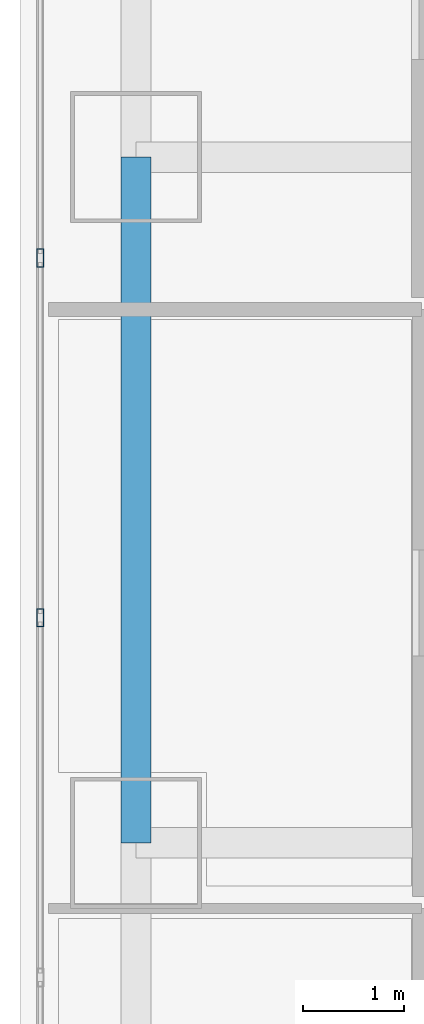
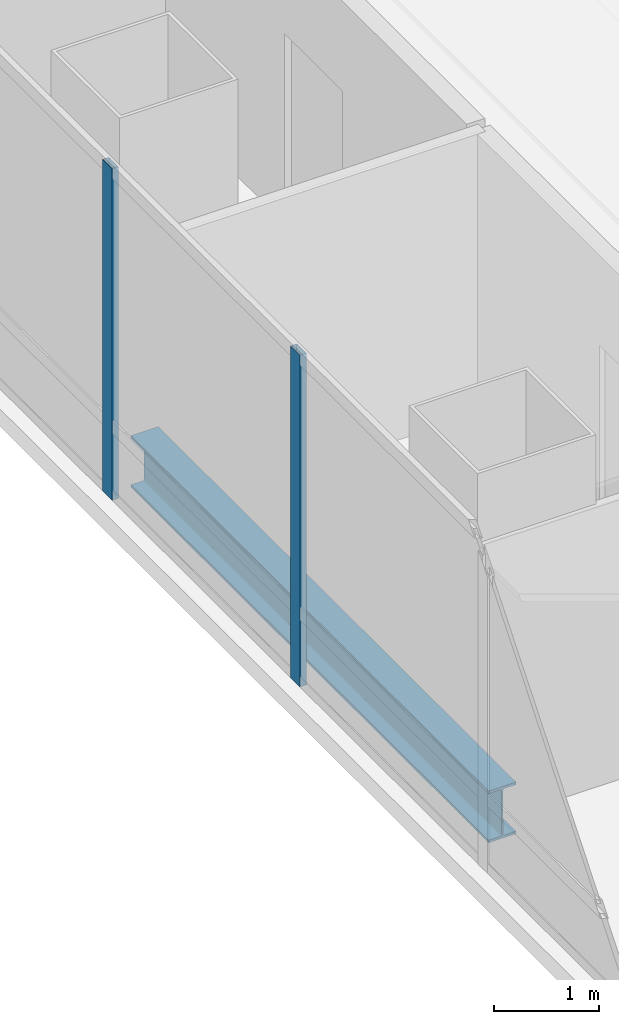
# One storey, part 8 of 44: 2 members, 1 beam, 1 element without a shape of its own.
"""IFC4 building model written with IfcOpenShell, lengths in metres."""

import ifcopenshell
import ifcopenshell.guid

model = None  # the IFC model being written
_history = None  # IfcOwnerHistory: only IFC2X3 demands one
_inside = {}  # id of a spatial element -> (the spatial element, [elements in it])
_under = {}  # id of a project, library or spatial element -> (it, [spatial elements below it])
_declared = {}  # id of a project -> (the project, [libraries it declares])
_typed = {}  # id of a type object -> (the type object, [elements of that type])
_made_of = {}  # id of a material, layer set ... -> (it, [elements and type objects made of it])


def new_model(schema):
    """Start an empty IFC model of exactly this schema.

    Asked for "IFC4X3", IfcOpenShell would pick the latest addendum, in which some entities
    have other attributes; the version numbers below select the first issue.
    IFC2X3 requires an IfcOwnerHistory on every rooted entity: one is made here for all.
    """
    global model, _history
    if schema == "IFC4X3":
        model = ifcopenshell.file(schema_version=(4, 3, 0, 0))
    else:
        model = ifcopenshell.file(schema=schema)
    _inside.clear()
    _under.clear()
    _declared.clear()
    _typed.clear()
    _made_of.clear()
    _history = None
    if model.schema == "IFC2X3":
        org = make("IfcOrganization", Name="unknown")
        user = make(
            "IfcPersonAndOrganization",
            ThePerson=make("IfcPerson", FamilyName="unknown"),
            TheOrganization=org,
        )
        app = make(
            "IfcApplication",
            ApplicationDeveloper=org,
            Version="unknown",
            ApplicationFullName="unknown",
            ApplicationIdentifier="unknown",
        )
        _history = make(
            "IfcOwnerHistory",
            OwningUser=user,
            OwningApplication=app,
            ChangeAction="ADDED",
            CreationDate=0,
        )
    return model


def make(cls, **values):
    """One entity of the class cls with the attributes given. An attribute that is None is left unset."""
    return model.create_entity(
        cls, **{name: value for name, value in values.items() if value is not None}
    )


def rooted(cls, **values):
    """An entity with a GlobalId (a new one), such as an element, a storey or a relation."""
    return make(cls, GlobalId=ifcopenshell.guid.new(), OwnerHistory=_history, **values)


def si_unit(unit_type, name, prefix=None):
    """IfcSIUnit, for example si_unit("LENGTHUNIT", "METRE", prefix="MILLI")."""
    return make("IfcSIUnit", UnitType=unit_type, Prefix=prefix, Name=name)


def assignment(units):
    """IfcUnitAssignment: the units of a project."""
    return None if units is None else make("IfcUnitAssignment", Units=units)


def point(xyz):
    """IfcCartesianPoint."""
    return None if xyz is None else make("IfcCartesianPoint", Coordinates=xyz)


def direction(xyz):
    """IfcDirection."""
    return None if xyz is None else make("IfcDirection", DirectionRatios=xyz)


def frame(location, z_axis=None, x_axis=None):
    """IfcAxis2Placement3D, a coordinate frame: its origin and axes. An axis left out is left unset."""
    return make(
        "IfcAxis2Placement3D",
        Location=point(location),
        Axis=direction(z_axis),
        RefDirection=direction(x_axis),
    )


def frame_2d(location, x_axis=None):
    """IfcAxis2Placement2D, a coordinate frame in the plane: its origin and x axis."""
    return make(
        "IfcAxis2Placement2D", Location=point(location), RefDirection=direction(x_axis)
    )


def origin():
    """The frame at (0, 0, 0) with its axes left unset."""
    return frame((0.0, 0.0, 0.0))


def origin_2d():
    """The frame at (0, 0) in the plane with its x axis left unset."""
    return frame_2d((0.0, 0.0))


def place(relative_to, where):
    """IfcLocalPlacement: puts the frame where relative to a parent placement (None: the world)."""
    return make(
        "IfcLocalPlacement", PlacementRelTo=relative_to, RelativePlacement=where
    )


def context(
    kind, dimensions, precision=None, world=None, true_north=None, identifier=None
):
    """IfcGeometricRepresentationContext, for example the 3D "Model" context."""
    return make(
        "IfcGeometricRepresentationContext",
        ContextIdentifier=identifier,
        ContextType=kind,
        CoordinateSpaceDimension=dimensions,
        Precision=precision,
        WorldCoordinateSystem=world,
        TrueNorth=true_north,
    )


def subcontext(parent, identifier, kind, view, scale=None):
    """IfcGeometricRepresentationSubContext, for example "Body" below "Model"."""
    return make(
        "IfcGeometricRepresentationSubContext",
        ContextIdentifier=identifier,
        ContextType=kind,
        ParentContext=parent,
        TargetScale=scale,
        TargetView=view,
    )


def project(units=None, contexts=None):
    """IfcProject with its units and contexts."""
    return rooted(
        "IfcProject",
        Name="project",
        RepresentationContexts=contexts,
        UnitsInContext=assignment(units),
    )


def spatial(cls, under=None, at=None, **own):
    """A site, building, storey or space (cls), placed at a placement, below another one or the project."""
    s = rooted(cls, ObjectPlacement=at, **own)
    if under is not None:
        _under.setdefault(under.id(), (under, []))[1].append(s)
    return s


def profile(cls, at=None, kind="AREA", **sizes):
    """A parametric profile (cls). Its sizes go by their IFC names, for example OverallWidth=200.0."""
    return make(cls, ProfileType=kind, Position=at, **sizes)


def hollow_rectangle(**sizes):
    """IfcRectangleHollowProfileDef."""
    return profile("IfcRectangleHollowProfileDef", **sizes)


def i_section(**sizes):
    """IfcIShapeProfileDef."""
    return profile("IfcIShapeProfileDef", **sizes)


def extrude(swept, where, along, depth):
    """IfcExtrudedAreaSolid: the profile swept, set in the frame where, extruded along a direction by depth."""
    return make(
        "IfcExtrudedAreaSolid",
        SweptArea=swept,
        Position=where,
        ExtrudedDirection=direction(along),
        Depth=depth,
    )


def shape(context_of_items, identifier, shape_type, items):
    """IfcShapeRepresentation: the items that make up one representation, for example the "Body"."""
    return make(
        "IfcShapeRepresentation",
        ContextOfItems=context_of_items,
        RepresentationIdentifier=identifier,
        RepresentationType=shape_type,
        Items=items,
    )


def material(Name=None, Category=None):
    """IfcMaterial."""
    return make("IfcMaterial", Name=Name, Category=Category)


def material_profile(
    of_material, cross_section, Name=None, Category=None, Priority=None
):
    """IfcMaterialProfile: a cross section and its material."""
    return make(
        "IfcMaterialProfile",
        Name=Name,
        Material=of_material,
        Profile=cross_section,
        Priority=Priority,
        Category=Category,
    )


def profile_set(profiles, Name=None, composite=None):
    """IfcMaterialProfileSet."""
    return make(
        "IfcMaterialProfileSet",
        Name=Name,
        MaterialProfiles=profiles,
        CompositeProfile=composite,
    )


def made_of(thing, what):
    """Note that an element or type object is made of a material, layer set ...; save() writes the relation."""
    if what is not None:
        _made_of.setdefault(what.id(), (what, []))[1].append(thing)
    return thing


def type_object(cls, material=None, **own):
    """A type object (cls), such as IfcWallType, which elements share."""
    return made_of(rooted(cls, **own), material)


def element(
    cls,
    number,
    at=None,
    inside=None,
    cuts=None,
    type_object=None,
    material=None,
    context=None,
    identifier="Body",
    shape_type=None,
    held_by="IfcProductDefinitionShape",
    body=None,
    shapes=None,
    **own,
):
    """One element of the class cls, such as IfcWall. Its Tag is "e" and its number.

    at: its placement. inside: the storey or other place that contains it. cuts: it is an
    opening in that element (IfcRelVoidsElement). A single representation is given by context,
    identifier, shape_type and body (its items); several are given by shapes. held_by: the class
    of the entity that holds the representations. save() writes the other relations.
    """
    e = rooted(cls, Tag="e%d" % number, ObjectPlacement=at, **own)
    if body is not None:
        shapes = [shape(context, identifier, shape_type, body)]
    if shapes is not None:
        e.Representation = make(held_by, Representations=shapes)
    if inside is not None:
        _inside.setdefault(inside.id(), (inside, []))[1].append(e)
    if cuts is not None:
        rooted(
            "IfcRelVoidsElement", RelatingBuildingElement=cuts, RelatedOpeningElement=e
        )
    if type_object is not None:
        _typed.setdefault(type_object.id(), (type_object, []))[1].append(e)
    return made_of(e, material)


def aggregate(whole, parts):
    """IfcRelAggregates: a whole, such as a stair, and the parts it consists of."""
    return rooted("IfcRelAggregates", RelatingObject=whole, RelatedObjects=parts)


def save(model, path):
    """Write the relations noted so far, then the file.

    IfcRelAggregates (storeys below a building ...), IfcRelContainedInSpatialStructure (elements
    in a storey), IfcRelDefinesByType, IfcRelAssociatesMaterial and IfcRelDeclares: one each for
    every whole, place, type object, material and project.
    """
    for whole, parts in _under.values():
        aggregate(whole, parts)
    for where, things in _inside.values():
        rooted(
            "IfcRelContainedInSpatialStructure",
            RelatedElements=things,
            RelatingStructure=where,
        )
    for kind, things in _typed.values():
        rooted("IfcRelDefinesByType", RelatedObjects=things, RelatingType=kind)
    for what, things in _made_of.values():
        rooted("IfcRelAssociatesMaterial", RelatedObjects=things, RelatingMaterial=what)
    for by, libraries in _declared.values():
        rooted("IfcRelDeclares", RelatingContext=by, RelatedDefinitions=libraries)
    model.write(path)


model = new_model("IFC4")

# Units and contexts
model_context = context("Model", 3, precision=1e-05, world=origin(), true_north=direction((0.0, 1.0)))
body_context = subcontext(model_context, "Body", "Model", "MODEL_VIEW")
ifc_project = project(units=[si_unit("LENGTHUNIT", "METRE"), si_unit("AREAUNIT", "SQUARE_METRE"), si_unit("VOLUMEUNIT", "CUBIC_METRE"), si_unit("PLANEANGLEUNIT", "RADIAN"), si_unit("MASSUNIT", "GRAM", prefix="KILO")], contexts=[model_context])

# Site, building, storey
site_placement = place(None, origin())
site = spatial("IfcSite", under=ifc_project, at=site_placement, CompositionType="ELEMENT")
building_placement = place(site_placement, origin())
building = spatial("IfcBuilding", under=site, at=building_placement, Name="Punatoya Terracotta Tower", CompositionType="ELEMENT")
storey_placement = place(building_placement, frame((0.0, 0.0, 267.60009765625)))
storey = spatial("IfcBuildingStorey", under=building, at=storey_placement, Name="L63", CompositionType="ELEMENT", Elevation=267.60009765625)

# Beam
ifc_material_1 = material(Name="Steel S355", Category="steel")
ifc_material_profile_1 = material_profile(ifc_material_1, i_section(OverallWidth=0.300048828125, OverallDepth=0.60009765625, WebThickness=0.015380859375, FlangeThickness=0.030029296875, FilletRadius=0.01806640625, at=origin_2d()))
ifc_profile_set_1 = profile_set([ifc_material_profile_1], Name="Steel S355")
beam_type = type_object("IfcBeamType", Name="BM-PRI-600", PredefinedType="BEAM", material=ifc_profile_set_1)
beam_placement = place(storey_placement, frame((-19.10009765625, -3.39990234375, -0.5), z_axis=(0.0, 1.0, 0.0), x_axis=(-1.0, 0.0, 0.0)))
element("IfcBeam", 1, at=beam_placement, inside=storey, type_object=beam_type, Name="BM-L63-RG-W2", PredefinedType="BEAM", context=body_context, shape_type="SweptSolid", body=[
    extrude(i_section(OverallWidth=0.300048828125, OverallDepth=0.60009765625, WebThickness=0.015380859375, FlangeThickness=0.030029296875, FilletRadius=0.01806640625, at=origin_2d()), origin(), (0.0, 0.0, 1.0), 6.7998046875),
])

# Curtain wall, members
ifc_material_2 = material(Name="Aluminium 6063-T6 + Double Low-E Glass", Category="aluminium")
curtain_wall_type = type_object("IfcCurtainWallType", Name="CW-M3", PredefinedType="NOTDEFINED", material=ifc_material_2)
curtain_wall_placement = place(storey_placement, origin())
curtain_wall = element("IfcCurtainWall", 2, at=curtain_wall_placement, inside=storey, type_object=curtain_wall_type, Name="L63 Curtain Wall CW-L63-W13-1", PredefinedType="NOTDEFINED")
ifc_material_3 = material(Name="Aluminium 6063-T6", Category="aluminium")
ifc_material_profile_2 = material_profile(ifc_material_3, hollow_rectangle(XDim=0.070068359375, YDim=0.179931640625, WallThickness=0.00390625, at=origin_2d()))
ifc_profile_set_2 = profile_set([ifc_material_profile_2], Name="Aluminium 6063-T6")
member_type = type_object("IfcMemberType", Name="CW-MUL-M3", PredefinedType="MULLION", material=ifc_profile_set_2)
member_1_placement = place(storey_placement, frame((-20.050048828125, 2.39990234375, 0.0), z_axis=(0.0, 0.0, 1.0), x_axis=(1.0, 0.0, 0.0)))
member_1 = element("IfcMember", 3, at=member_1_placement, type_object=member_type, Name="CW-L63-W13-1 Mullion 05", PredefinedType="MULLION", context=body_context, shape_type="SweptSolid", body=[
    extrude(hollow_rectangle(XDim=0.070068359375, YDim=0.179931640625, WallThickness=0.00390625, at=origin_2d()), origin(), (0.0, 0.0, 1.0), 3.849853515625),
])
member_2_placement = place(storey_placement, frame((-20.050048828125, -1.16748046875, 0.0), z_axis=(0.0, 0.0, 1.0), x_axis=(1.0, 0.0, 0.0)))
member_2 = element("IfcMember", 4, at=member_2_placement, type_object=member_type, Name="CW-L63-W13-1 Mullion 06", PredefinedType="MULLION", context=body_context, shape_type="SweptSolid", body=[
    extrude(hollow_rectangle(XDim=0.070068359375, YDim=0.179931640625, WallThickness=0.00390625, at=origin_2d()), origin(), (0.0, 0.0, 1.0), 3.849853515625),
])
aggregate(curtain_wall, [member_1, member_2])

save(model, "model.ifc")
